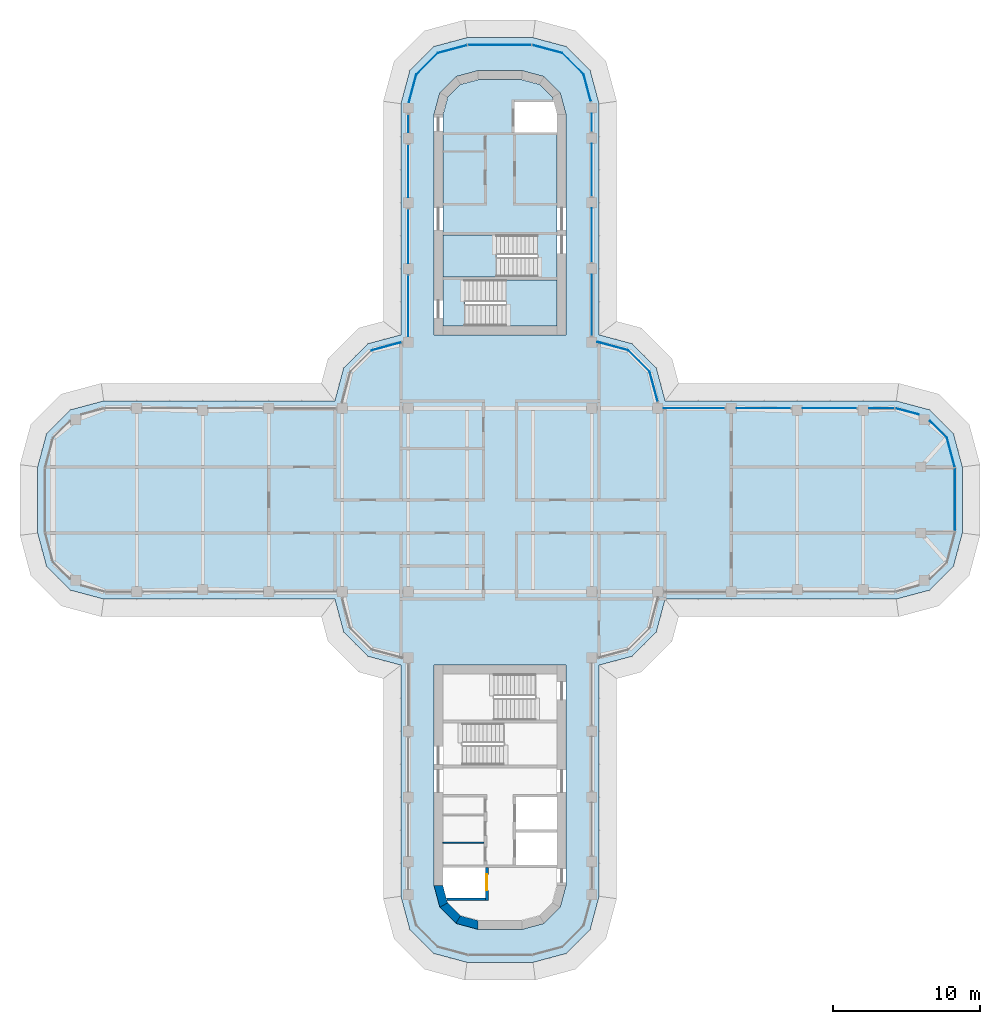
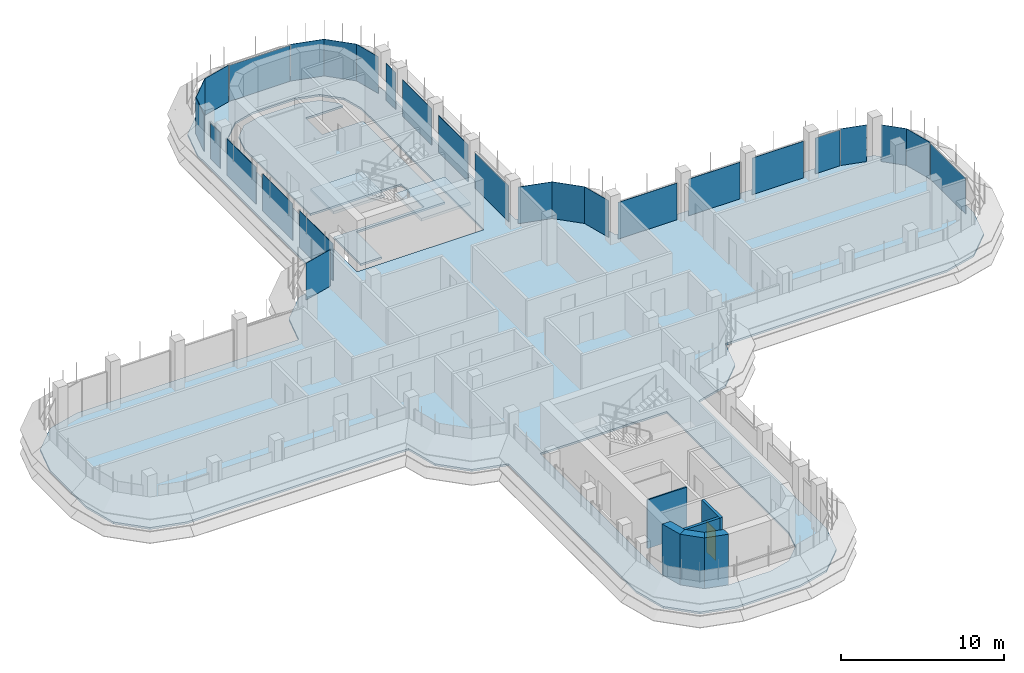
# One storey, part 12 of 19: 27 plates, 6 walls, 4 slabs, 1 door, 1 opening, 20 elements without a shape of their own.
"""IFC4 building model written with IfcOpenShell, lengths in metres."""

import ifcopenshell
import ifcopenshell.guid

model = None  # the IFC model being written
_history = None  # IfcOwnerHistory: only IFC2X3 demands one
_inside = {}  # id of a spatial element -> (the spatial element, [elements in it])
_under = {}  # id of a project, library or spatial element -> (it, [spatial elements below it])
_declared = {}  # id of a project -> (the project, [libraries it declares])
_typed = {}  # id of a type object -> (the type object, [elements of that type])
_made_of = {}  # id of a material, layer set ... -> (it, [elements and type objects made of it])


def new_model(schema):
    """Start an empty IFC model of exactly this schema.

    Asked for "IFC4X3", IfcOpenShell would pick the latest addendum, in which some entities
    have other attributes; the version numbers below select the first issue.
    IFC2X3 requires an IfcOwnerHistory on every rooted entity: one is made here for all.
    """
    global model, _history
    if schema == "IFC4X3":
        model = ifcopenshell.file(schema_version=(4, 3, 0, 0))
    else:
        model = ifcopenshell.file(schema=schema)
    _inside.clear()
    _under.clear()
    _declared.clear()
    _typed.clear()
    _made_of.clear()
    _history = None
    if model.schema == "IFC2X3":
        org = make("IfcOrganization", Name="unknown")
        user = make(
            "IfcPersonAndOrganization",
            ThePerson=make("IfcPerson", FamilyName="unknown"),
            TheOrganization=org,
        )
        app = make(
            "IfcApplication",
            ApplicationDeveloper=org,
            Version="unknown",
            ApplicationFullName="unknown",
            ApplicationIdentifier="unknown",
        )
        _history = make(
            "IfcOwnerHistory",
            OwningUser=user,
            OwningApplication=app,
            ChangeAction="ADDED",
            CreationDate=0,
        )
    return model


def make(cls, **values):
    """One entity of the class cls with the attributes given. An attribute that is None is left unset."""
    return model.create_entity(
        cls, **{name: value for name, value in values.items() if value is not None}
    )


def rooted(cls, **values):
    """An entity with a GlobalId (a new one), such as an element, a storey or a relation."""
    return make(cls, GlobalId=ifcopenshell.guid.new(), OwnerHistory=_history, **values)


def si_unit(unit_type, name, prefix=None):
    """IfcSIUnit, for example si_unit("LENGTHUNIT", "METRE", prefix="MILLI")."""
    return make("IfcSIUnit", UnitType=unit_type, Prefix=prefix, Name=name)


def assignment(units):
    """IfcUnitAssignment: the units of a project."""
    return None if units is None else make("IfcUnitAssignment", Units=units)


def point(xyz):
    """IfcCartesianPoint."""
    return None if xyz is None else make("IfcCartesianPoint", Coordinates=xyz)


def direction(xyz):
    """IfcDirection."""
    return None if xyz is None else make("IfcDirection", DirectionRatios=xyz)


def frame(location, z_axis=None, x_axis=None):
    """IfcAxis2Placement3D, a coordinate frame: its origin and axes. An axis left out is left unset."""
    return make(
        "IfcAxis2Placement3D",
        Location=point(location),
        Axis=direction(z_axis),
        RefDirection=direction(x_axis),
    )


def frame_2d(location, x_axis=None):
    """IfcAxis2Placement2D, a coordinate frame in the plane: its origin and x axis."""
    return make(
        "IfcAxis2Placement2D", Location=point(location), RefDirection=direction(x_axis)
    )


def origin():
    """The frame at (0, 0, 0) with its axes left unset."""
    return frame((0.0, 0.0, 0.0))


def place(relative_to, where):
    """IfcLocalPlacement: puts the frame where relative to a parent placement (None: the world)."""
    return make(
        "IfcLocalPlacement", PlacementRelTo=relative_to, RelativePlacement=where
    )


def context(
    kind, dimensions, precision=None, world=None, true_north=None, identifier=None
):
    """IfcGeometricRepresentationContext, for example the 3D "Model" context."""
    return make(
        "IfcGeometricRepresentationContext",
        ContextIdentifier=identifier,
        ContextType=kind,
        CoordinateSpaceDimension=dimensions,
        Precision=precision,
        WorldCoordinateSystem=world,
        TrueNorth=true_north,
    )


def subcontext(parent, identifier, kind, view, scale=None):
    """IfcGeometricRepresentationSubContext, for example "Body" below "Model"."""
    return make(
        "IfcGeometricRepresentationSubContext",
        ContextIdentifier=identifier,
        ContextType=kind,
        ParentContext=parent,
        TargetScale=scale,
        TargetView=view,
    )


def project(units=None, contexts=None):
    """IfcProject with its units and contexts."""
    return rooted(
        "IfcProject",
        Name="project",
        RepresentationContexts=contexts,
        UnitsInContext=assignment(units),
    )


def spatial(cls, under=None, at=None, **own):
    """A site, building, storey or space (cls), placed at a placement, below another one or the project."""
    s = rooted(cls, ObjectPlacement=at, **own)
    if under is not None:
        _under.setdefault(under.id(), (under, []))[1].append(s)
    return s


def polyline(points):
    """IfcPolyline through the points."""
    return make("IfcPolyline", Points=[point(p) for p in points])


def profile(cls, at=None, kind="AREA", **sizes):
    """A parametric profile (cls). Its sizes go by their IFC names, for example OverallWidth=200.0."""
    return make(cls, ProfileType=kind, Position=at, **sizes)


def rectangle(**sizes):
    """IfcRectangleProfileDef."""
    return profile("IfcRectangleProfileDef", **sizes)


def outline(outer, holes=None, kind="AREA"):
    """IfcArbitraryClosedProfileDef: a profile drawn as a closed curve; with holes, ...WithVoids."""
    if holes is None:
        return make("IfcArbitraryClosedProfileDef", ProfileType=kind, OuterCurve=outer)
    return make(
        "IfcArbitraryProfileDefWithVoids",
        ProfileType=kind,
        OuterCurve=outer,
        InnerCurves=holes,
    )


def extrude(swept, where, along, depth):
    """IfcExtrudedAreaSolid: the profile swept, set in the frame where, extruded along a direction by depth."""
    return make(
        "IfcExtrudedAreaSolid",
        SweptArea=swept,
        Position=where,
        ExtrudedDirection=direction(along),
        Depth=depth,
    )


def shape(context_of_items, identifier, shape_type, items):
    """IfcShapeRepresentation: the items that make up one representation, for example the "Body"."""
    return make(
        "IfcShapeRepresentation",
        ContextOfItems=context_of_items,
        RepresentationIdentifier=identifier,
        RepresentationType=shape_type,
        Items=items,
    )


def source(mapping_origin, context_of_items, identifier, shape_type, items):
    """IfcRepresentationMap: a shape defined once, which mapped items show again and again."""
    return make(
        "IfcRepresentationMap",
        MappingOrigin=mapping_origin,
        MappedRepresentation=shape(context_of_items, identifier, shape_type, items),
    )


def transform(
    local_origin,
    x_axis=None,
    y_axis=None,
    z_axis=None,
    scale=None,
    scale2=None,
    scale3=None,
    uniform=True,
):
    """IfcCartesianTransformationOperator3D, or its non-uniform kind. x_axis, y_axis, z_axis: its Axis1, 2, 3."""
    if uniform:
        return make(
            "IfcCartesianTransformationOperator3D",
            Axis1=direction(x_axis),
            Axis2=direction(y_axis),
            LocalOrigin=point(local_origin),
            Scale=scale,
            Axis3=direction(z_axis),
        )
    return make(
        "IfcCartesianTransformationOperator3DnonUniform",
        Axis1=direction(x_axis),
        Axis2=direction(y_axis),
        LocalOrigin=point(local_origin),
        Scale=scale,
        Axis3=direction(z_axis),
        Scale2=scale2,
        Scale3=scale3,
    )


def mapped(mapping_source, mapping_target):
    """IfcMappedItem: shows the shape of a source again, moved by a transform."""
    return make(
        "IfcMappedItem", MappingSource=mapping_source, MappingTarget=mapping_target
    )


def material(Name=None, Category=None):
    """IfcMaterial."""
    return make("IfcMaterial", Name=Name, Category=Category)


def layer(
    of_material, thickness, ventilated=None, Name=None, Category=None, Priority=None
):
    """IfcMaterialLayer: one layer of a wall or slab, of a material (None: an air gap)."""
    return make(
        "IfcMaterialLayer",
        Material=of_material,
        LayerThickness=thickness,
        IsVentilated=ventilated,
        Name=Name,
        Category=Category,
        Priority=Priority,
    )


def layer_set(layers, Name=None):
    """IfcMaterialLayerSet."""
    return make("IfcMaterialLayerSet", MaterialLayers=layers, LayerSetName=Name)


def made_of(thing, what):
    """Note that an element or type object is made of a material, layer set ...; save() writes the relation."""
    if what is not None:
        _made_of.setdefault(what.id(), (what, []))[1].append(thing)
    return thing


def type_object(cls, material=None, **own):
    """A type object (cls), such as IfcWallType, which elements share."""
    return made_of(rooted(cls, **own), material)


def element(
    cls,
    number,
    at=None,
    inside=None,
    cuts=None,
    type_object=None,
    material=None,
    context=None,
    identifier="Body",
    shape_type=None,
    held_by="IfcProductDefinitionShape",
    body=None,
    shapes=None,
    **own,
):
    """One element of the class cls, such as IfcWall. Its Tag is "e" and its number.

    at: its placement. inside: the storey or other place that contains it. cuts: it is an
    opening in that element (IfcRelVoidsElement). A single representation is given by context,
    identifier, shape_type and body (its items); several are given by shapes. held_by: the class
    of the entity that holds the representations. save() writes the other relations.
    """
    e = rooted(cls, Tag="e%d" % number, ObjectPlacement=at, **own)
    if body is not None:
        shapes = [shape(context, identifier, shape_type, body)]
    if shapes is not None:
        e.Representation = make(held_by, Representations=shapes)
    if inside is not None:
        _inside.setdefault(inside.id(), (inside, []))[1].append(e)
    if cuts is not None:
        rooted(
            "IfcRelVoidsElement", RelatingBuildingElement=cuts, RelatedOpeningElement=e
        )
    if type_object is not None:
        _typed.setdefault(type_object.id(), (type_object, []))[1].append(e)
    return made_of(e, material)


def fill(opening, filler):
    """IfcRelFillsElement: the door or window that sits in an opening."""
    return rooted(
        "IfcRelFillsElement",
        RelatingOpeningElement=opening,
        RelatedBuildingElement=filler,
    )


def aggregate(whole, parts):
    """IfcRelAggregates: a whole, such as a stair, and the parts it consists of."""
    return rooted("IfcRelAggregates", RelatingObject=whole, RelatedObjects=parts)


def save(model, path):
    """Write the relations noted so far, then the file.

    IfcRelAggregates (storeys below a building ...), IfcRelContainedInSpatialStructure (elements
    in a storey), IfcRelDefinesByType, IfcRelAssociatesMaterial and IfcRelDeclares: one each for
    every whole, place, type object, material and project.
    """
    for whole, parts in _under.values():
        aggregate(whole, parts)
    for where, things in _inside.values():
        rooted(
            "IfcRelContainedInSpatialStructure",
            RelatedElements=things,
            RelatingStructure=where,
        )
    for kind, things in _typed.values():
        rooted("IfcRelDefinesByType", RelatedObjects=things, RelatingType=kind)
    for what, things in _made_of.values():
        rooted("IfcRelAssociatesMaterial", RelatedObjects=things, RelatingMaterial=what)
    for by, libraries in _declared.values():
        rooted("IfcRelDeclares", RelatingContext=by, RelatedDefinitions=libraries)
    model.write(path)


model = new_model("IFC4")

# Units and contexts
model_context = context("Model", 3, precision=1e-05, world=origin(), true_north=direction((0.0, 1.0)))
body_context = subcontext(model_context, "Body", "Model", "MODEL_VIEW")
ifc_project = project(units=[si_unit("LENGTHUNIT", "METRE"), si_unit("AREAUNIT", "SQUARE_METRE"), si_unit("VOLUMEUNIT", "CUBIC_METRE"), si_unit("PLANEANGLEUNIT", "RADIAN"), si_unit("MASSUNIT", "GRAM", prefix="KILO")], contexts=[model_context])

# Site, building, storey
site_placement = place(None, origin())
site = spatial("IfcSite", under=ifc_project, at=site_placement, CompositionType="ELEMENT")
building_placement = place(site_placement, origin())
building = spatial("IfcBuilding", under=site, at=building_placement, Name="Zarbagh Exchange Tower", CompositionType="ELEMENT")
storey_placement = place(building_placement, frame((0.0, 0.0, 203.0)))
storey = spatial("IfcBuildingStorey", under=building, at=storey_placement, Name="L49", CompositionType="ELEMENT", Elevation=203.0)

# Slabs
ifc_material_1 = material(Name="Concrete C40/50", Category="concrete")
ifc_layer_1 = layer(ifc_material_1, 0.14990234375)
ifc_layer_set_1 = layer_set([ifc_layer_1], Name="Composite floor slab 150 C40/50")
slab_type_1 = type_object("IfcSlabType", Name="Composite floor slab 150 C40/50", PredefinedType="FLOOR", material=ifc_layer_set_1)
slab_1_placement = place(storey_placement, frame((0.0, 0.0, -0.14990234375)))
element("IfcSlab", 1, at=slab_1_placement, inside=storey, type_object=slab_type_1, Name="S5 composite floor slab", PredefinedType="FLOOR", context=body_context, shape_type="SweptSolid", body=[
    extrude(outline(polyline([(-2.25, -31.5), (-4.5, -30.897216796875), (-6.147216796875, -29.25), (-6.75, -27.0), (-6.75, -11.25), (-9.0, -10.647216796875), (-10.647216796875, -9.0), (-11.25, -6.75), (-27.0, -6.75), (-29.25, -6.147216796875), (-30.897216796875, -4.5), (-31.5, -2.25), (-31.5, 2.25), (-30.897216796875, 4.5), (-29.25, 6.147216796875), (-27.0, 6.75), (-11.25, 6.75), (-10.647216796875, 9.0), (-9.0, 10.647216796875), (-6.75, 11.25), (-6.75, 27.0), (-6.147216796875, 29.25), (-4.5, 30.897216796875), (-2.25, 31.5), (2.25, 31.5), (4.5, 30.897216796875), (6.147216796875, 29.25), (6.75, 27.0), (6.75, 11.25), (9.0, 10.647216796875), (10.647216796875, 9.0), (11.25, 6.75), (27.0, 6.75), (29.25, 6.147216796875), (30.897216796875, 4.5), (31.5, 2.25), (31.5, -2.25), (30.897216796875, -4.5), (29.25, -6.147216796875), (27.0, -6.75), (11.25, -6.75), (10.647216796875, -9.0), (9.0, -10.647216796875), (6.75, -11.25), (6.75, -27.0), (6.147216796875, -29.25), (4.5, -30.897216796875), (2.25, -31.5), (-2.25, -31.5)]), holes=[polyline([(4.5, 11.25), (4.5, 26.25), (4.09814453125, 27.75), (3.0, 28.84814453125), (1.5, 29.25), (-1.5, 29.25), (-3.0, 28.84814453125), (-4.09814453125, 27.75), (-4.5, 26.25), (-4.5, 11.25), (4.5, 11.25)]), polyline([(-1.5, -29.25), (1.5, -29.25), (3.0, -28.84814453125), (4.09814453125, -27.75), (4.5, -26.25), (4.5, -11.25), (-4.5, -11.25), (-4.5, -26.25), (-4.09814453125, -27.75), (-3.0, -28.84814453125), (-1.5, -29.25)])]), origin(), (0.0, 0.0, 1.0), 0.14990234375),
])
ifc_layer_2 = layer(ifc_material_1, 0.14990234375)
ifc_layer_set_2 = layer_set([ifc_layer_2], Name="Core floor slab 150 C40/50")
slab_type_2 = type_object("IfcSlabType", Name="Core floor slab 150 C40/50", PredefinedType="FLOOR", material=ifc_layer_set_2)
slab_2_placement = place(storey_placement, frame((0.0, 0.0, -0.14990234375)))
element("IfcSlab", 2, at=slab_2_placement, inside=storey, type_object=slab_type_2, Name="S17 core N", PredefinedType="FLOOR", context=body_context, shape_type="SweptSolid", body=[
    extrude(outline(polyline([(-3.89990234375, 11.85009765625), (-3.89990234375, 15.199951171875), (2.550048828125, 15.199951171875), (2.550048828125, 18.050048828125), (-3.89990234375, 18.050048828125), (-3.89990234375, 26.1708984375), (-3.56005859375, 27.439453125), (-2.689453125, 28.31005859375), (-1.4208984375, 28.64990234375), (1.4208984375, 28.64990234375), (2.689453125, 28.31005859375), (3.56005859375, 27.439453125), (3.651123046875, 27.10009765625), (1.0, 27.10009765625), (1.0, 25.050048828125), (3.89990234375, 25.050048828125), (3.89990234375, 15.0), (-2.39990234375, 15.0), (-2.39990234375, 11.85009765625), (-3.89990234375, 11.85009765625)])), origin(), (0.0, 0.0, 1.0), 0.14990234375),
])

# Stair, slab
stair_type = type_object("IfcStairType", Name="Exit stair two-flight half-turn", PredefinedType="HALF_TURN_STAIR", material=ifc_material_1)
stair_1_placement = place(storey_placement, origin())
stair_1 = element("IfcStair", 3, at=stair_1_placement, inside=storey, type_object=stair_type, Name="exit stair ST1", PredefinedType="HALF_TURN_STAIR")
ifc_layer_3 = layer(ifc_material_1, 0.199951171875)
ifc_layer_set_3 = layer_set([ifc_layer_3], Name="Stair landing 200 mm")
slab_type_3 = type_object("IfcSlabType", Name="Stair landing 200 mm", PredefinedType="LANDING", material=ifc_layer_set_3)
slab_3_placement = place(storey_placement, frame((0.0, 0.0, 1.699951171875)))
slab_3 = element("IfcSlab", 4, at=slab_3_placement, type_object=slab_type_3, Name="ST1 landing 1", PredefinedType="LANDING", context=body_context, shape_type="SweptSolid", body=[
    extrude(outline(polyline([(-0.25, 18.050048828125), (-3.89990234375, 18.050048828125), (-3.89990234375, 15.199951171875), (-0.25, 15.199951171875), (-0.25, 18.050048828125)])), origin(), (0.0, 0.0, 1.0), 0.199951171875),
])
aggregate(stair_1, [slab_3])

stair_2_placement = place(storey_placement, origin())
stair_2 = element("IfcStair", 5, at=stair_2_placement, inside=storey, type_object=stair_type, Name="exit stair ST2", PredefinedType="HALF_TURN_STAIR")
slab_4_placement = place(storey_placement, frame((0.0, 0.0, 1.699951171875)))
slab_4 = element("IfcSlab", 6, at=slab_4_placement, type_object=slab_type_3, Name="ST2 landing 1", PredefinedType="LANDING", context=body_context, shape_type="SweptSolid", body=[
    extrude(outline(polyline([(0.39990234375, 11.85009765625), (3.89990234375, 11.85009765625), (3.89990234375, 15.0), (0.39990234375, 15.0), (0.39990234375, 11.85009765625)])), origin(), (0.0, 0.0, 1.0), 0.199951171875),
])
aggregate(stair_2, [slab_4])

# Curtain wall, plate
ifc_material_2 = material(Name="Anodised aluminium frame and glazing", Category="aluminium")
curtain_wall_type = type_object("IfcCurtainWallType", Name="CWB Ribbon glazing, upper zones", PredefinedType="NOTDEFINED", material=ifc_material_2)
curtain_wall_1_placement = place(storey_placement, origin())
curtain_wall_1 = element("IfcCurtainWall", 7, at=curtain_wall_1_placement, inside=storey, type_object=curtain_wall_type, Name="CWB18 curtain wall", PredefinedType="NOTDEFINED")
ifc_material_3 = material(Name="Low-e double glazed unit, 6+12+6 mm")
ifc_layer_4 = layer(ifc_material_3, 0.031982421875)
ifc_layer_set_4 = layer_set([ifc_layer_4], Name="PAB Glazing panel, Low-e double glazed unit, 6+12+6 mm")
plate_type = type_object("IfcPlateType", Name="PAB Glazing panel, Low-e double glazed unit, 6+12+6 mm", PredefinedType="CURTAIN_PANEL", material=ifc_layer_set_4)
shared_shape_1 = source(origin(), body_context, "Body", "SweptSolid", [
    extrude(outline(polyline([(0.0, -0.01611328125), (2.061279296875, -0.01611328125), (2.061279296875, 0.01611328125), (0.0, 0.01611328125), (0.0, -0.01611328125)])), origin(), (0.0, 0.0, 1.0), 2.75),
])
placement = place(storey_placement, origin())
plate_1 = element("IfcPlate", 8, at=placement, type_object=plate_type, Name="CWB18 glazing panel 1.1", PredefinedType="CURTAIN_PANEL", context=body_context, shape_type="MappedRepresentation", body=[
    mapped(shared_shape_1, transform((10.19873046875, 8.7412109375, 0.0), x_axis=(-0.707106781187, 0.707106781187, 0.0), y_axis=(-0.707106781187, -0.707106781187, 0.0), z_axis=(0.0, 0.0, 1.0))),
])
aggregate(curtain_wall_1, [plate_1])

curtain_wall_2_placement = place(storey_placement, origin())
curtain_wall_2 = element("IfcCurtainWall", 9, at=curtain_wall_2_placement, inside=storey, type_object=curtain_wall_type, Name="CWB22 curtain wall", PredefinedType="NOTDEFINED")
plate_2 = element("IfcPlate", 10, at=placement, type_object=plate_type, Name="CWB22 glazing panel 1.1", PredefinedType="CURTAIN_PANEL", context=body_context, shape_type="MappedRepresentation", body=[
    mapped(shared_shape_1, transform((5.69873046875, 28.9912109375, 0.0), x_axis=(-0.707106781187, 0.707106781187, 0.0), y_axis=(-0.707106781187, -0.707106781187, 0.0), z_axis=(0.0, 0.0, 1.0))),
])
aggregate(curtain_wall_2, [plate_2])

curtain_wall_3_placement = place(storey_placement, origin())
curtain_wall_3 = element("IfcCurtainWall", 11, at=curtain_wall_3_placement, inside=storey, type_object=curtain_wall_type, Name="CWB26 curtain wall", PredefinedType="NOTDEFINED")
plate_3 = element("IfcPlate", 12, at=placement, type_object=plate_type, Name="CWB26 glazing panel 1.1", PredefinedType="CURTAIN_PANEL", context=body_context, shape_type="MappedRepresentation", body=[
    mapped(shared_shape_1, transform((-4.2412109375, 30.44873046875, 0.0), x_axis=(-0.707106781187, -0.707106781187, 0.0), y_axis=(0.707106781187, -0.707106781187, 0.0), z_axis=(0.0, 0.0, 1.0))),
])
aggregate(curtain_wall_3, [plate_3])

curtain_wall_4_placement = place(storey_placement, origin())
curtain_wall_4 = element("IfcCurtainWall", 13, at=curtain_wall_4_placement, inside=storey, type_object=curtain_wall_type, Name="CWB23 curtain wall", PredefinedType="NOTDEFINED")
shared_shape_2 = source(origin(), body_context, "Body", "SweptSolid", [
    extrude(outline(polyline([(0.0, -0.01611328125), (2.129638671875, -0.01611328125), (2.129638671875, 0.01611328125), (0.0, 0.01611328125), (0.0, -0.01611328125)])), origin(), (0.0, 0.0, 1.0), 2.75),
])
plate_4 = element("IfcPlate", 14, at=placement, type_object=plate_type, Name="CWB23 glazing panel 1.1", PredefinedType="CURTAIN_PANEL", context=body_context, shape_type="MappedRepresentation", body=[
    mapped(shared_shape_2, transform((4.2412109375, 30.44873046875, 0.0), x_axis=(-0.965924289636, 0.258824779902, 0.0), y_axis=(-0.258824779902, -0.965924289636, 0.0), z_axis=(0.0, 0.0, 1.0))),
])
aggregate(curtain_wall_4, [plate_4])

curtain_wall_5_placement = place(storey_placement, origin())
curtain_wall_5 = element("IfcCurtainWall", 15, at=curtain_wall_5_placement, inside=storey, type_object=curtain_wall_type, Name="CWB20 curtain wall", PredefinedType="NOTDEFINED")
shared_shape_3 = source(origin(), body_context, "Body", "SweptSolid", [
    extrude(outline(polyline([(0.0, -0.01611328125), (3.56005859375, -0.01611328125), (3.56005859375, 0.01611328125), (0.0, 0.01611328125), (0.0, -0.01611328125)])), origin(), (0.0, 0.0, 1.0), 2.75),
])
plate_5 = element("IfcPlate", 16, at=placement, type_object=plate_type, Name="CWB20 glazing panel 3.1", PredefinedType="CURTAIN_PANEL", context=body_context, shape_type="MappedRepresentation", body=[
    mapped(shared_shape_3, transform((6.25, 20.699951171875, 0.0), x_axis=(0.0, 1.0, 0.0), y_axis=(-1.0, 0.0, 0.0), z_axis=(0.0, 0.0, 1.0))),
])

curtain_wall_6_placement = place(storey_placement, origin())
curtain_wall_6 = element("IfcCurtainWall", 17, at=curtain_wall_6_placement, inside=storey, type_object=curtain_wall_type, Name="CWB28 curtain wall", PredefinedType="NOTDEFINED")
plate_6 = element("IfcPlate", 18, at=placement, type_object=plate_type, Name="CWB28 glazing panel 2.1", PredefinedType="CURTAIN_PANEL", context=body_context, shape_type="MappedRepresentation", body=[
    mapped(shared_shape_3, transform((-6.25, 24.199951171875, 0.0), x_axis=(0.0, -1.0, 0.0), y_axis=(1.0, 0.0, 0.0), z_axis=(0.0, 0.0, 1.0))),
])

curtain_wall_7_placement = place(storey_placement, origin())
curtain_wall_7 = element("IfcCurtainWall", 19, at=curtain_wall_7_placement, inside=storey, type_object=curtain_wall_type, Name="CWB12 curtain wall", PredefinedType="NOTDEFINED")
shared_shape_4 = source(origin(), body_context, "Body", "SweptSolid", [
    extrude(outline(polyline([(0.0, -0.01611328125), (4.308349609375, -0.01611328125), (4.308349609375, 0.01611328125), (0.0, 0.01611328125), (0.0, -0.01611328125)])), origin(), (0.0, 0.0, 1.0), 2.68994140625),
])
plate_7 = element("IfcPlate", 20, at=placement, type_object=plate_type, Name="CWB12 glazing panel 1.1", PredefinedType="CURTAIN_PANEL", context=body_context, shape_type="MappedRepresentation", body=[
    mapped(shared_shape_4, transform((31.0, -2.124267578125, 0.0), x_axis=(0.0, 1.0, 0.0), y_axis=(-1.0, 0.0, 0.0), z_axis=(0.0, 0.0, 1.0))),
])
aggregate(curtain_wall_7, [plate_7])

curtain_wall_8_placement = place(storey_placement, origin())
curtain_wall_8 = element("IfcCurtainWall", 21, at=curtain_wall_8_placement, inside=storey, type_object=curtain_wall_type, Name="CWB24 curtain wall", PredefinedType="NOTDEFINED")
plate_8 = element("IfcPlate", 22, at=placement, type_object=plate_type, Name="CWB24 glazing panel 1.1", PredefinedType="CURTAIN_PANEL", context=body_context, shape_type="MappedRepresentation", body=[
    mapped(shared_shape_4, transform((2.124267578125, 31.0, 0.0), x_axis=(-1.0, 0.0, 0.0), y_axis=(0.0, -1.0, 0.0), z_axis=(0.0, 0.0, 1.0))),
])
aggregate(curtain_wall_8, [plate_8])

curtain_wall_9_placement = place(storey_placement, origin())
curtain_wall_9 = element("IfcCurtainWall", 23, at=curtain_wall_9_placement, inside=storey, type_object=curtain_wall_type, Name="CWB13 curtain wall", PredefinedType="NOTDEFINED")
shared_shape_5 = source(origin(), body_context, "Body", "SweptSolid", [
    extrude(outline(polyline([(0.0, -0.01611328125), (2.069580078125, -0.01611328125), (2.069580078125, 0.01611328125), (0.0, 0.01611328125), (0.0, -0.01611328125)])), origin(), (0.0, 0.0, 1.0), 2.75),
])
plate_9 = element("IfcPlate", 24, at=placement, type_object=plate_type, Name="CWB13 glazing panel 1.1", PredefinedType="CURTAIN_PANEL", context=body_context, shape_type="MappedRepresentation", body=[
    mapped(shared_shape_5, transform((30.984375, 2.2421875, 0.0), x_axis=(-0.258824779902, 0.965924289636, 0.0), y_axis=(-0.965924289636, -0.258824779902, 0.0), z_axis=(0.0, 0.0, 1.0))),
])
aggregate(curtain_wall_9, [plate_9])

curtain_wall_10_placement = place(storey_placement, origin())
curtain_wall_10 = element("IfcCurtainWall", 25, at=curtain_wall_10_placement, inside=storey, type_object=curtain_wall_type, Name="CWB25 curtain wall", PredefinedType="NOTDEFINED")
plate_10 = element("IfcPlate", 26, at=placement, type_object=plate_type, Name="CWB25 glazing panel 1.1", PredefinedType="CURTAIN_PANEL", context=body_context, shape_type="MappedRepresentation", body=[
    mapped(shared_shape_5, transform((-2.2421875, 30.984375, 0.0), x_axis=(-0.965924289636, -0.258824779902, 0.0), y_axis=(0.258824779902, -0.965924289636, 0.0), z_axis=(0.0, 0.0, 1.0))),
])
aggregate(curtain_wall_10, [plate_10])

# Curtain wall, plates
curtain_wall_11_placement = place(storey_placement, origin())
curtain_wall_11 = element("IfcCurtainWall", 27, at=curtain_wall_11_placement, inside=storey, type_object=curtain_wall_type, Name="CWB16 curtain wall", PredefinedType="NOTDEFINED")
shared_shape_6 = source(origin(), body_context, "Body", "SweptSolid", [
    extrude(outline(polyline([(0.0, -0.01611328125), (3.659912109375, -0.01611328125), (3.659912109375, 0.01611328125), (0.0, 0.01611328125), (0.0, -0.01611328125)])), origin(), (0.0, 0.0, 1.0), 2.75),
])
plate_11 = element("IfcPlate", 28, at=placement, type_object=plate_type, Name="CWB16 glazing panel 2.1", PredefinedType="CURTAIN_PANEL", context=body_context, shape_type="MappedRepresentation", body=[
    mapped(shared_shape_6, transform((24.300048828125, 6.25, 0.0), x_axis=(-1.0, 0.0, 0.0), y_axis=(0.0, -1.0, 0.0), z_axis=(0.0, 0.0, 1.0))),
])
plate_12 = element("IfcPlate", 29, at=placement, type_object=plate_type, Name="CWB16 glazing panel 3.1", PredefinedType="CURTAIN_PANEL", context=body_context, shape_type="MappedRepresentation", body=[
    mapped(shared_shape_6, transform((19.800048828125, 6.25, 0.0), x_axis=(-1.0, 0.0, 0.0), y_axis=(0.0, -1.0, 0.0), z_axis=(0.0, 0.0, 1.0))),
])

# Plate
plate_13 = element("IfcPlate", 30, at=placement, type_object=plate_type, Name="CWB20 glazing panel 2.1", PredefinedType="CURTAIN_PANEL", context=body_context, shape_type="MappedRepresentation", body=[
    mapped(shared_shape_6, transform((6.25, 16.199951171875, 0.0), x_axis=(0.0, 1.0, 0.0), y_axis=(-1.0, 0.0, 0.0), z_axis=(0.0, 0.0, 1.0))),
])

plate_14 = element("IfcPlate", 31, at=placement, type_object=plate_type, Name="CWB28 glazing panel 3.1", PredefinedType="CURTAIN_PANEL", context=body_context, shape_type="MappedRepresentation", body=[
    mapped(shared_shape_6, transform((-6.25, 19.800048828125, 0.0), x_axis=(0.0, -1.0, 0.0), y_axis=(1.0, 0.0, 0.0), z_axis=(0.0, 0.0, 1.0))),
])

shared_shape_7 = source(origin(), body_context, "Body", "SweptSolid", [
    extrude(outline(polyline([(0.0, -0.01611328125), (4.159912109375, -0.01611328125), (4.159912109375, 0.01611328125), (0.0, 0.01611328125), (0.0, -0.01611328125)])), origin(), (0.0, 0.0, 1.0), 2.75),
])
plate_15 = element("IfcPlate", 32, at=placement, type_object=plate_type, Name="CWB16 glazing panel 4.1", PredefinedType="CURTAIN_PANEL", context=body_context, shape_type="MappedRepresentation", body=[
    mapped(shared_shape_7, transform((15.300048828125, 6.25, 0.0), x_axis=(-1.0, 0.0, 0.0), y_axis=(0.0, -1.0, 0.0), z_axis=(0.0, 0.0, 1.0))),
])

plate_16 = element("IfcPlate", 33, at=placement, type_object=plate_type, Name="CWB28 glazing panel 4.1", PredefinedType="CURTAIN_PANEL", context=body_context, shape_type="MappedRepresentation", body=[
    mapped(shared_shape_7, transform((-6.25, 15.300048828125, 0.0), x_axis=(0.0, -1.0, 0.0), y_axis=(1.0, 0.0, 0.0), z_axis=(0.0, 0.0, 1.0))),
])

# Curtain wall, plate
curtain_wall_12_placement = place(storey_placement, origin())
curtain_wall_12 = element("IfcCurtainWall", 34, at=curtain_wall_12_placement, inside=storey, type_object=curtain_wall_type, Name="CWB17 curtain wall", PredefinedType="NOTDEFINED")
shared_shape_8 = source(origin(), body_context, "Body", "SweptSolid", [
    extrude(outline(polyline([(0.0, -0.01611328125), (2.115234375, -0.01611328125), (2.115234375, 0.01611328125), (0.0, 0.01611328125), (0.0, -0.01611328125)])), origin(), (0.0, 0.0, 1.0), 2.75),
])
plate_17 = element("IfcPlate", 35, at=placement, type_object=plate_type, Name="CWB17 glazing panel 1.1", PredefinedType="CURTAIN_PANEL", context=body_context, shape_type="MappedRepresentation", body=[
    mapped(shared_shape_8, transform((10.746337890625, 6.697998046875, 0.0), x_axis=(-0.258824779902, 0.965924289636, 0.0), y_axis=(-0.965924289636, -0.258824779902, 0.0), z_axis=(0.0, 0.0, 1.0))),
])
aggregate(curtain_wall_12, [plate_17])

curtain_wall_13_placement = place(storey_placement, origin())
curtain_wall_13 = element("IfcCurtainWall", 36, at=curtain_wall_13_placement, inside=storey, type_object=curtain_wall_type, Name="CWB29 curtain wall", PredefinedType="NOTDEFINED")
plate_18 = element("IfcPlate", 37, at=placement, type_object=plate_type, Name="CWB29 glazing panel 1.1", PredefinedType="CURTAIN_PANEL", context=body_context, shape_type="MappedRepresentation", body=[
    mapped(shared_shape_8, transform((-6.697998046875, 10.746337890625, 0.0), x_axis=(-0.965924289636, -0.258824779902, 0.0), y_axis=(0.258824779902, -0.965924289636, 0.0), z_axis=(0.0, 0.0, 1.0))),
])
aggregate(curtain_wall_13, [plate_18])

curtain_wall_14_placement = place(storey_placement, origin())
curtain_wall_14 = element("IfcCurtainWall", 38, at=curtain_wall_14_placement, inside=storey, type_object=curtain_wall_type, Name="CWB19 curtain wall", PredefinedType="NOTDEFINED")
shared_shape_9 = source(origin(), body_context, "Body", "SweptSolid", [
    extrude(outline(polyline([(0.0, -0.01611328125), (2.17529296875, -0.01611328125), (2.17529296875, 0.01611328125), (0.0, 0.01611328125), (0.0, -0.01611328125)])), origin(), (0.0, 0.0, 1.0), 2.75),
])
plate_19 = element("IfcPlate", 39, at=placement, type_object=plate_type, Name="CWB19 glazing panel 1.1", PredefinedType="CURTAIN_PANEL", context=body_context, shape_type="MappedRepresentation", body=[
    mapped(shared_shape_9, transform((8.7412109375, 10.19873046875, 0.0), x_axis=(-0.965924289636, 0.258824779902, 0.0), y_axis=(-0.258824779902, -0.965924289636, 0.0), z_axis=(0.0, 0.0, 1.0))),
])
aggregate(curtain_wall_14, [plate_19])

# Plate
shared_shape_10 = source(origin(), body_context, "Body", "SweptSolid", [
    extrude(outline(polyline([(0.0, -0.01611328125), (4.159912109375, -0.01611328125), (4.159912109375, 0.01611328125), (0.0, 0.01611328125), (0.0, -0.01611328125)])), origin(), (0.0, 0.0, 1.0), 2.68994140625),
])
plate_20 = element("IfcPlate", 40, at=placement, type_object=plate_type, Name="CWB20 glazing panel 1.1", PredefinedType="CURTAIN_PANEL", context=body_context, shape_type="MappedRepresentation", body=[
    mapped(shared_shape_10, transform((6.25, 11.199951171875, 0.0), x_axis=(0.0, 1.0, 0.0), y_axis=(-1.0, 0.0, 0.0), z_axis=(0.0, 0.0, 1.0))),
])

# Curtain wall, plate
curtain_wall_15_placement = place(storey_placement, origin())
curtain_wall_15 = element("IfcCurtainWall", 41, at=curtain_wall_15_placement, inside=storey, type_object=curtain_wall_type, Name="CWB14 curtain wall", PredefinedType="NOTDEFINED")
shared_shape_11 = source(origin(), body_context, "Body", "SweptSolid", [
    extrude(outline(polyline([(0.0, -0.01611328125), (1.62744140625, -0.01611328125), (1.62744140625, 0.01611328125), (0.0, 0.01611328125), (0.0, -0.01611328125)])), origin(), (0.0, 0.0, 1.0), 2.75),
])
plate_21 = element("IfcPlate", 42, at=placement, type_object=plate_type, Name="CWB14 glazing panel 1.1", PredefinedType="CURTAIN_PANEL", context=body_context, shape_type="MappedRepresentation", body=[
    mapped(shared_shape_11, transform((30.44873046875, 4.2412109375, 0.0), x_axis=(-0.707106781187, 0.707106781187, 0.0), y_axis=(-0.707106781187, -0.707106781187, 0.0), z_axis=(0.0, 0.0, 1.0))),
])
aggregate(curtain_wall_15, [plate_21])

curtain_wall_16_placement = place(storey_placement, origin())
curtain_wall_16 = element("IfcCurtainWall", 43, at=curtain_wall_16_placement, inside=storey, type_object=curtain_wall_type, Name="CWB15 curtain wall", PredefinedType="NOTDEFINED")
shared_shape_12 = source(origin(), body_context, "Body", "SweptSolid", [
    extrude(outline(polyline([(0.0, -0.01611328125), (1.6396484375, -0.01611328125), (1.6396484375, 0.01611328125), (0.0, 0.01611328125), (0.0, -0.01611328125)])), origin(), (0.0, 0.0, 1.0), 2.75),
])
plate_22 = element("IfcPlate", 44, at=placement, type_object=plate_type, Name="CWB15 glazing panel 1.1", PredefinedType="CURTAIN_PANEL", context=body_context, shape_type="MappedRepresentation", body=[
    mapped(shared_shape_12, transform((28.51806640625, 5.82568359375, 0.0), x_axis=(-0.965924289636, 0.258824779902, 0.0), y_axis=(-0.258824779902, -0.965924289636, 0.0), z_axis=(0.0, 0.0, 1.0))),
])
aggregate(curtain_wall_16, [plate_22])

# Plate
shared_shape_13 = source(origin(), body_context, "Body", "SweptSolid", [
    extrude(outline(polyline([(0.0, -0.01611328125), (1.734130859375, -0.01611328125), (1.734130859375, 0.01611328125), (0.0, 0.01611328125), (0.0, -0.01611328125)])), origin(), (0.0, 0.0, 1.0), 2.68994140625),
])
plate_23 = element("IfcPlate", 45, at=placement, type_object=plate_type, Name="CWB16 glazing panel 1.1", PredefinedType="CURTAIN_PANEL", context=body_context, shape_type="MappedRepresentation", body=[
    mapped(shared_shape_13, transform((26.874267578125, 6.25, 0.0), x_axis=(-1.0, 0.0, 0.0), y_axis=(0.0, -1.0, 0.0), z_axis=(0.0, 0.0, 1.0))),
])

aggregate(curtain_wall_11, [plate_23, plate_11, plate_12, plate_15])

shared_shape_14 = source(origin(), body_context, "Body", "SweptSolid", [
    extrude(outline(polyline([(0.0, -0.01611328125), (1.2099609375, -0.01611328125), (1.2099609375, 0.01611328125), (0.0, 0.01611328125), (0.0, -0.01611328125)])), origin(), (0.0, 0.0, 1.0), 2.75),
])
plate_24 = element("IfcPlate", 46, at=placement, type_object=plate_type, Name="CWB20 glazing panel 4.1", PredefinedType="CURTAIN_PANEL", context=body_context, shape_type="MappedRepresentation", body=[
    mapped(shared_shape_14, transform((6.25, 25.10009765625, 0.0), x_axis=(0.0, 1.0, 0.0), y_axis=(-1.0, 0.0, 0.0), z_axis=(0.0, 0.0, 1.0))),
])

aggregate(curtain_wall_5, [plate_20, plate_13, plate_5, plate_24])

# Curtain wall, plate
curtain_wall_17_placement = place(storey_placement, origin())
curtain_wall_17 = element("IfcCurtainWall", 47, at=curtain_wall_17_placement, inside=storey, type_object=curtain_wall_type, Name="CWB21 curtain wall", PredefinedType="NOTDEFINED")
shared_shape_15 = source(origin(), body_context, "Body", "SweptSolid", [
    extrude(outline(polyline([(0.0, -0.01611328125), (1.908203125, -0.01611328125), (1.908203125, 0.01611328125), (0.0, 0.01611328125), (0.0, -0.01611328125)])), origin(), (0.0, 0.0, 1.0), 2.75),
])
plate_25 = element("IfcPlate", 48, at=placement, type_object=plate_type, Name="CWB21 glazing panel 1.1", PredefinedType="CURTAIN_PANEL", context=body_context, shape_type="MappedRepresentation", body=[
    mapped(shared_shape_15, transform((6.192626953125, 27.14794921875, 0.0), x_axis=(-0.258824779902, 0.965924289636, 0.0), y_axis=(-0.965924289636, -0.258824779902, 0.0), z_axis=(0.0, 0.0, 1.0))),
])
aggregate(curtain_wall_17, [plate_25])

curtain_wall_18_placement = place(storey_placement, origin())
curtain_wall_18 = element("IfcCurtainWall", 49, at=curtain_wall_18_placement, inside=storey, type_object=curtain_wall_type, Name="CWB27 curtain wall", PredefinedType="NOTDEFINED")
shared_shape_16 = source(origin(), body_context, "Body", "SweptSolid", [
    extrude(outline(polyline([(0.0, -0.01611328125), (1.96826171875, -0.01611328125), (1.96826171875, 0.01611328125), (0.0, 0.01611328125), (0.0, -0.01611328125)])), origin(), (0.0, 0.0, 1.0), 2.75),
])
plate_26 = element("IfcPlate", 50, at=placement, type_object=plate_type, Name="CWB27 glazing panel 1.1", PredefinedType="CURTAIN_PANEL", context=body_context, shape_type="MappedRepresentation", body=[
    mapped(shared_shape_16, transform((-5.69873046875, 28.9912109375, 0.0), x_axis=(-0.258824779902, -0.965924289636, 0.0), y_axis=(0.965924289636, -0.258824779902, 0.0), z_axis=(0.0, 0.0, 1.0))),
])
aggregate(curtain_wall_18, [plate_26])

# Plate
shared_shape_17 = source(origin(), body_context, "Body", "SweptSolid", [
    extrude(outline(polyline([(0.0, -0.01611328125), (1.2099609375, -0.01611328125), (1.2099609375, 0.01611328125), (0.0, 0.01611328125), (0.0, -0.01611328125)])), origin(), (0.0, 0.0, 1.0), 2.68994140625),
])
plate_27 = element("IfcPlate", 51, at=placement, type_object=plate_type, Name="CWB28 glazing panel 1.1", PredefinedType="CURTAIN_PANEL", context=body_context, shape_type="MappedRepresentation", body=[
    mapped(shared_shape_17, transform((-6.25, 26.25, 0.0), x_axis=(0.0, -1.0, 0.0), y_axis=(1.0, 0.0, 0.0), z_axis=(0.0, 0.0, 1.0))),
])

aggregate(curtain_wall_6, [plate_27, plate_6, plate_14, plate_16])

# Walls
ifc_material_4 = material(Name="Dense blockwork", Category="masonry")
ifc_layer_5 = layer(ifc_material_4, 0.10009765625)
ifc_layer_set_5 = layer_set([ifc_layer_5], Name="Core partition 100 mm blockwork")
wall_type_1 = type_object("IfcWallType", Name="Core partition 100 mm blockwork", PredefinedType="PARTITIONING", material=ifc_layer_set_5)
wall_1_placement = place(storey_placement, frame((-1.10009765625, -23.35009765625, 0.0), z_axis=(0.0, 0.0, 1.0), x_axis=(-1.0, 0.0, 0.0)))
element("IfcWall", 52, at=wall_1_placement, inside=storey, type_object=wall_type_1, Name="South core partition wall CUT-E-500", PredefinedType="PARTITIONING", context=body_context, shape_type="SweptSolid", body=[
    extrude(rectangle(XDim=2.7998046875, YDim=0.10009765625, at=frame_2d((1.39990234375, 0.0))), origin(), (0.0, 0.0, 1.0), 3.64990234375),
])
ifc_material_5 = material(Name="Concrete C50/60", Category="concrete")
ifc_layer_6 = layer(ifc_material_5, 0.60009765625)
ifc_layer_set_6 = layer_set([ifc_layer_6], Name="RC core corner wall 600 C50/60")
wall_type_2 = type_object("IfcWallType", Name="RC core corner wall 600 C50/60", PredefinedType="SHEAR", material=ifc_layer_set_6)
wall_2_placement = place(storey_placement, origin())
element("IfcWall", 53, at=wall_2_placement, inside=storey, type_object=wall_type_2, Name="CW8 core S corner W", PredefinedType="SHEAR", context=body_context, shape_type="SweptSolid", body=[
    extrude(outline(polyline([(-4.5, -26.25), (-4.09814453125, -27.75), (-3.57861328125, -27.449951171875), (-3.89990234375, -26.25), (-4.5, -26.25)])), origin(), (0.0, 0.0, 1.0), 3.800048828125),
])
wall_3_placement = place(storey_placement, origin())
element("IfcWall", 54, at=wall_3_placement, inside=storey, type_object=wall_type_2, Name="CW8 core S corner W", PredefinedType="SHEAR", context=body_context, shape_type="SweptSolid", body=[
    extrude(outline(polyline([(-4.09814453125, -27.75), (-3.0, -28.84814453125), (-2.699951171875, -28.32861328125), (-3.57861328125, -27.449951171875), (-4.09814453125, -27.75)])), origin(), (0.0, 0.0, 1.0), 3.800048828125),
])
wall_4_placement = place(storey_placement, origin())
element("IfcWall", 55, at=wall_4_placement, inside=storey, type_object=wall_type_2, Name="CW8 core S corner W", PredefinedType="SHEAR", context=body_context, shape_type="SweptSolid", body=[
    extrude(outline(polyline([(-3.0, -28.84814453125), (-1.5, -29.25), (-1.5, -28.64990234375), (-2.699951171875, -28.32861328125), (-3.0, -28.84814453125)])), origin(), (0.0, 0.0, 1.0), 3.800048828125),
])

# Wall, opening, door
ifc_layer_7 = layer(ifc_material_1, 0.199951171875)
ifc_layer_set_7 = layer_set([ifc_layer_7], Name="Stair enclosure wall 200 mm RC C40/50")
wall_type_3 = type_object("IfcWallType", Name="Stair enclosure wall 200 mm RC C40/50", PredefinedType="SHEAR", material=ifc_layer_set_7)
wall_5_placement = place(storey_placement, frame((-0.89990234375, -27.300048828125, 0.0), z_axis=(0.0, 0.0, 1.0), x_axis=(0.0, 1.0, 0.0)))
wall_5 = element("IfcWall", 56, at=wall_5_placement, inside=storey, type_object=wall_type_3, Name="South core lift shaft wall FFL", PredefinedType="SHEAR", context=body_context, shape_type="SweptSolid", body=[
    extrude(rectangle(XDim=2.25, YDim=0.199951171875, at=frame_2d((1.125, 0.0))), origin(), (0.0, 0.0, 1.0), 3.64990234375),
])
opening_placement = place(wall_5_placement, frame((0.699951171875, 0.0, 0.0)))
opening = element("IfcOpeningElement", 57, at=opening_placement, cuts=wall_5, Name="Opening LD-1100", PredefinedType="OPENING", context=body_context, shape_type="SweptSolid", body=[
    extrude(rectangle(XDim=1.10009765625, YDim=2.300048828125, at=frame_2d((0.550048828125, 1.14990234375))), frame((0.0, 0.10986328125, 0.0), z_axis=(0.0, -1.0, 0.0), x_axis=(1.0, 0.0, 0.0)), (0.0, 0.0, 1.0), 0.219970703125),
])
ifc_material_6 = material(Name="Stainless steel", Category="steel")
door_type = type_object("IfcDoorType", Name="Lift landing door 1100 x 2300", OperationType="NOTDEFINED", PredefinedType="DOOR", material=ifc_material_6)
door_placement = place(opening_placement, origin())
door = element("IfcDoor", 58, at=door_placement, inside=storey, type_object=door_type, Name="South core lift landing door LD-F", OperationType="DOUBLE_DOOR_SLIDING", OverallHeight=2.300048828125, OverallWidth=1.10009765625, PredefinedType="DOOR", context=body_context, shape_type="SweptSolid", body=[
    extrude(rectangle(XDim=1.10009765625, YDim=2.300048828125, at=frame_2d((0.550048828125, 1.14990234375))), frame((0.0, 0.02490234375, 0.0), z_axis=(0.0, -1.0, 0.0), x_axis=(1.0, 0.0, 0.0)), (0.0, 0.0, 1.0), 0.050048828125),
])
fill(opening, door)

# Wall
wall_6_placement = place(storey_placement, origin())
element("IfcWall", 59, at=wall_6_placement, inside=storey, type_object=wall_type_3, Name="South core lift shaft wall FFX", PredefinedType="SHEAR", context=body_context, shape_type="SweptSolid", body=[
    extrude(outline(polyline([(-1.0, -27.10009765625), (-3.651123046875, -27.10009765625), (-3.597412109375, -27.300048828125), (-1.0, -27.300048828125), (-1.0, -27.10009765625)])), origin(), (0.0, 0.0, 1.0), 3.64990234375),
])

save(model, "model.ifc")
